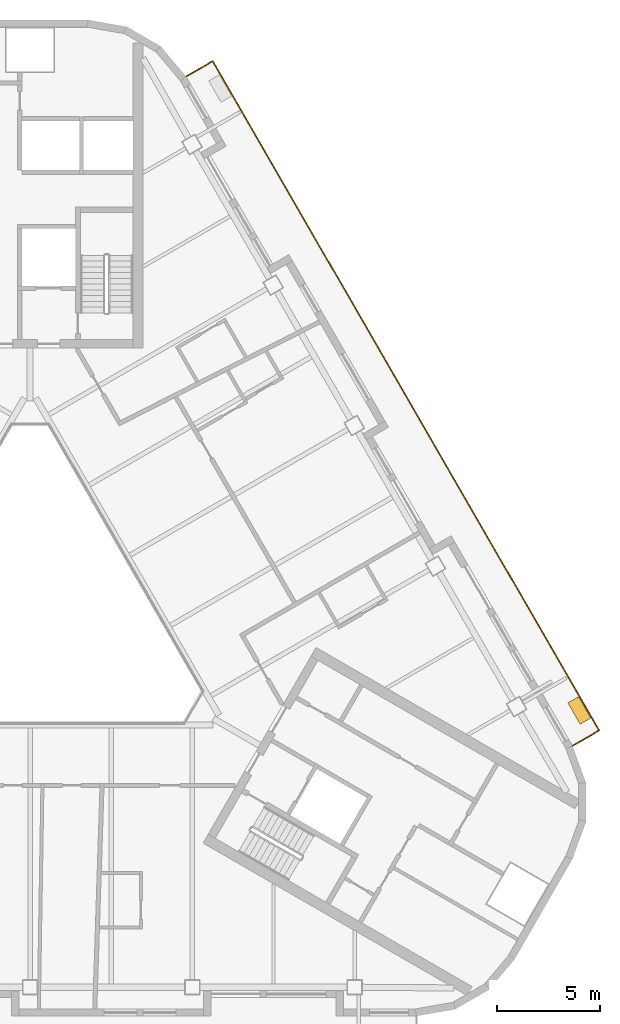
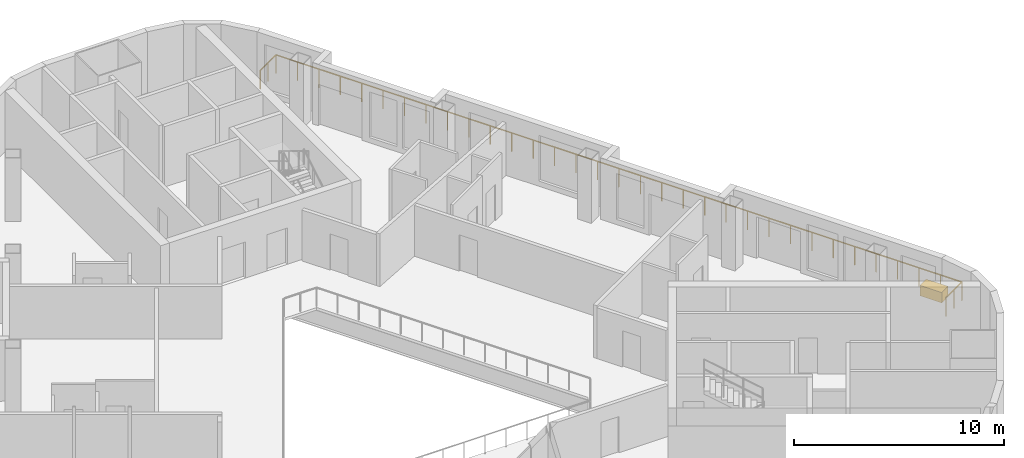
# One storey, part 13 of 14: 1 covering, 1 railing.
"""IFC4 building model written with IfcOpenShell, lengths in metres."""

from ifc_helpers import new_model, si_unit, direction, frame, origin, origin_2d, place, context, subcontext, project, spatial, rectangle, extrude, material, type_object, element, save


model = new_model("IFC4")

# Units and contexts
model_context = context("Model", 3, precision=1e-05, world=origin(), true_north=direction((0.0, 1.0)))
body_context = subcontext(model_context, "Body", "Model", "MODEL_VIEW")
ifc_project = project(units=[si_unit("LENGTHUNIT", "METRE"), si_unit("AREAUNIT", "SQUARE_METRE"), si_unit("VOLUMEUNIT", "CUBIC_METRE"), si_unit("PLANEANGLEUNIT", "RADIAN"), si_unit("MASSUNIT", "GRAM", prefix="KILO")], contexts=[model_context])

# Site, building, storey
site_placement = place(None, origin())
site = spatial("IfcSite", under=ifc_project, at=site_placement, CompositionType="ELEMENT")
building_placement = place(site_placement, origin())
building = spatial("IfcBuilding", under=site, at=building_placement, Name="Apuvela Tower Hotel", CompositionType="ELEMENT")
storey_placement = place(building_placement, frame((0.0, 0.0, 209.5)))
storey = spatial("IfcBuildingStorey", under=building, at=storey_placement, Name="L51", CompositionType="ELEMENT", Elevation=209.5)

# Railing
ifc_material_1 = material(Name="Stainless steel 316 rail with laminated glass infill", Category="steel")
railing_type = type_object("IfcRailingType", Name="ENV-GUARD-1100", PredefinedType="GUARDRAIL", material=ifc_material_1)
railing_placement = place(storey_placement, frame((26.407958984375, -6.47998046875, 0.0)))
element("IfcRailing", 1, at=railing_placement, inside=storey, type_object=railing_type, Name="Balcony guard NE L51", PredefinedType="GUARDRAIL", context=body_context, shape_type="SweptSolid", body=[
    extrude(rectangle(XDim=0.050048828125, YDim=0.050048828125, at=origin_2d()), frame((0.0, 0.0, 1.0751953125), z_axis=(0.866031096941, 0.499990139034, 0.0), x_axis=(-0.499990139034, 0.866031096941, 0.0)), (0.0, 0.0, 1.0), 1.5),
    extrude(rectangle(XDim=0.050048828125, YDim=0.050048828125, at=origin_2d()), frame((1.299072265625, 0.75, 1.0751953125), z_axis=(-0.500000437506, 0.86602515119, 0.0), x_axis=(-0.86602515119, -0.500000437506, 0.0)), (0.0, 0.0, 1.0), 37.6318359375),
    extrude(rectangle(XDim=0.050048828125, YDim=0.050048828125, at=origin_2d()), frame((-17.516845703125, 33.340087890625, 1.0751953125), z_axis=(-0.86599040064, -0.500060622324, 0.0), x_axis=(0.500060622324, -0.86599040064, 0.0)), (0.0, 0.0, 1.0), 1.499755859375),
    extrude(rectangle(XDim=0.0400390625, YDim=0.0400390625, at=origin_2d()), origin(), (0.0, 0.0, 1.0), 1.050048828125),
    extrude(rectangle(XDim=0.0400390625, YDim=0.0400390625, at=origin_2d()), frame((0.6494140625, 0.375, 0.0)), (0.0, 0.0, 1.0), 1.050048828125),
    extrude(rectangle(XDim=0.0400390625, YDim=0.0400390625, at=origin_2d()), frame((1.299072265625, 0.75, 0.0)), (0.0, 0.0, 1.0), 1.050048828125),
    extrude(rectangle(XDim=0.0400390625, YDim=0.0400390625, at=origin_2d()), frame((0.711181640625, 1.7685546875, 0.0)), (0.0, 0.0, 1.0), 1.050048828125),
    extrude(rectangle(XDim=0.0400390625, YDim=0.0400390625, at=origin_2d()), frame((0.123046875, 2.786865234375, 0.0)), (0.0, 0.0, 1.0), 1.050048828125),
    extrude(rectangle(XDim=0.0400390625, YDim=0.0400390625, at=origin_2d()), frame((-0.46484375, 3.805419921875, 0.0)), (0.0, 0.0, 1.0), 1.050048828125),
    extrude(rectangle(XDim=0.0400390625, YDim=0.0400390625, at=origin_2d()), frame((-1.052978515625, 4.82373046875, 0.0)), (0.0, 0.0, 1.0), 1.050048828125),
    extrude(rectangle(XDim=0.0400390625, YDim=0.0400390625, at=origin_2d()), frame((-1.640869140625, 5.84228515625, 0.0)), (0.0, 0.0, 1.0), 1.050048828125),
    extrude(rectangle(XDim=0.0400390625, YDim=0.0400390625, at=origin_2d()), frame((-2.22900390625, 6.860595703125, 0.0)), (0.0, 0.0, 1.0), 1.050048828125),
    extrude(rectangle(XDim=0.0400390625, YDim=0.0400390625, at=origin_2d()), frame((-2.81689453125, 7.879150390625, 0.0)), (0.0, 0.0, 1.0), 1.050048828125),
    extrude(rectangle(XDim=0.0400390625, YDim=0.0400390625, at=origin_2d()), frame((-3.40478515625, 8.8974609375, 0.0)), (0.0, 0.0, 1.0), 1.050048828125),
    extrude(rectangle(XDim=0.0400390625, YDim=0.0400390625, at=origin_2d()), frame((-3.992919921875, 9.916015625, 0.0)), (0.0, 0.0, 1.0), 1.050048828125),
    extrude(rectangle(XDim=0.0400390625, YDim=0.0400390625, at=origin_2d()), frame((-4.580810546875, 10.934326171875, 0.0)), (0.0, 0.0, 1.0), 1.050048828125),
    extrude(rectangle(XDim=0.0400390625, YDim=0.0400390625, at=origin_2d()), frame((-5.1689453125, 11.952880859375, 0.0)), (0.0, 0.0, 1.0), 1.050048828125),
    extrude(rectangle(XDim=0.0400390625, YDim=0.0400390625, at=origin_2d()), frame((-5.7568359375, 12.97119140625, 0.0)), (0.0, 0.0, 1.0), 1.050048828125),
    extrude(rectangle(XDim=0.0400390625, YDim=0.0400390625, at=origin_2d()), frame((-6.344970703125, 13.98974609375, 0.0)), (0.0, 0.0, 1.0), 1.050048828125),
    extrude(rectangle(XDim=0.0400390625, YDim=0.0400390625, at=origin_2d()), frame((-6.932861328125, 15.008056640625, 0.0)), (0.0, 0.0, 1.0), 1.050048828125),
    extrude(rectangle(XDim=0.0400390625, YDim=0.0400390625, at=origin_2d()), frame((-7.52099609375, 16.026611328125, 0.0)), (0.0, 0.0, 1.0), 1.050048828125),
    extrude(rectangle(XDim=0.0400390625, YDim=0.0400390625, at=origin_2d()), frame((-8.10888671875, 17.044921875, 0.0)), (0.0, 0.0, 1.0), 1.050048828125),
    extrude(rectangle(XDim=0.0400390625, YDim=0.0400390625, at=origin_2d()), frame((-8.69677734375, 18.0634765625, 0.0)), (0.0, 0.0, 1.0), 1.050048828125),
    extrude(rectangle(XDim=0.0400390625, YDim=0.0400390625, at=origin_2d()), frame((-9.284912109375, 19.08203125, 0.0)), (0.0, 0.0, 1.0), 1.050048828125),
    extrude(rectangle(XDim=0.0400390625, YDim=0.0400390625, at=origin_2d()), frame((-9.872802734375, 20.100341796875, 0.0)), (0.0, 0.0, 1.0), 1.050048828125),
    extrude(rectangle(XDim=0.0400390625, YDim=0.0400390625, at=origin_2d()), frame((-10.4609375, 21.118896484375, 0.0)), (0.0, 0.0, 1.0), 1.050048828125),
    extrude(rectangle(XDim=0.0400390625, YDim=0.0400390625, at=origin_2d()), frame((-11.048828125, 22.13720703125, 0.0)), (0.0, 0.0, 1.0), 1.050048828125),
    extrude(rectangle(XDim=0.0400390625, YDim=0.0400390625, at=origin_2d()), frame((-11.636962890625, 23.15576171875, 0.0)), (0.0, 0.0, 1.0), 1.050048828125),
    extrude(rectangle(XDim=0.0400390625, YDim=0.0400390625, at=origin_2d()), frame((-12.224853515625, 24.174072265625, 0.0)), (0.0, 0.0, 1.0), 1.050048828125),
    extrude(rectangle(XDim=0.0400390625, YDim=0.0400390625, at=origin_2d()), frame((-12.81298828125, 25.192626953125, 0.0)), (0.0, 0.0, 1.0), 1.050048828125),
    extrude(rectangle(XDim=0.0400390625, YDim=0.0400390625, at=origin_2d()), frame((-13.40087890625, 26.2109375, 0.0)), (0.0, 0.0, 1.0), 1.050048828125),
    extrude(rectangle(XDim=0.0400390625, YDim=0.0400390625, at=origin_2d()), frame((-13.98876953125, 27.2294921875, 0.0)), (0.0, 0.0, 1.0), 1.050048828125),
    extrude(rectangle(XDim=0.0400390625, YDim=0.0400390625, at=origin_2d()), frame((-14.576904296875, 28.247802734375, 0.0)), (0.0, 0.0, 1.0), 1.050048828125),
    extrude(rectangle(XDim=0.0400390625, YDim=0.0400390625, at=origin_2d()), frame((-15.164794921875, 29.266357421875, 0.0)), (0.0, 0.0, 1.0), 1.050048828125),
    extrude(rectangle(XDim=0.0400390625, YDim=0.0400390625, at=origin_2d()), frame((-15.7529296875, 30.28466796875, 0.0)), (0.0, 0.0, 1.0), 1.050048828125),
    extrude(rectangle(XDim=0.0400390625, YDim=0.0400390625, at=origin_2d()), frame((-16.3408203125, 31.30322265625, 0.0)), (0.0, 0.0, 1.0), 1.050048828125),
    extrude(rectangle(XDim=0.0400390625, YDim=0.0400390625, at=origin_2d()), frame((-16.928955078125, 32.321533203125, 0.0)), (0.0, 0.0, 1.0), 1.050048828125),
    extrude(rectangle(XDim=0.0400390625, YDim=0.0400390625, at=origin_2d()), frame((-17.516845703125, 33.340087890625, 0.0)), (0.0, 0.0, 1.0), 1.050048828125),
    extrude(rectangle(XDim=0.0400390625, YDim=0.0400390625, at=origin_2d()), frame((-18.166259765625, 32.965087890625, 0.0)), (0.0, 0.0, 1.0), 1.050048828125),
    extrude(rectangle(XDim=0.0400390625, YDim=0.0400390625, at=origin_2d()), frame((-18.815673828125, 32.590087890625, 0.0)), (0.0, 0.0, 1.0), 1.050048828125),
])

# Covering
ifc_material_2 = material(Name="Planting substrate and soil, planted")
covering_type = type_object("IfcCoveringType", Name="ENV-PLANTER-1200x600", PredefinedType="USERDEFINED", material=ifc_material_2)
covering_placement = place(storey_placement, frame((26.739013671875, -4.753173828125, 0.0), z_axis=(0.0, 0.0, 1.0), x_axis=(-0.5, 0.866025403784, 0.0)))
element("IfcCovering", 2, at=covering_placement, inside=storey, type_object=covering_type, Name="Planter NE2", ObjectType="PLANTER", PredefinedType="USERDEFINED", context=body_context, shape_type="SweptSolid", body=[
    extrude(rectangle(XDim=1.199951171875, YDim=0.60009765625, at=origin_2d()), origin(), (0.0, 0.0, 1.0), 0.60009765625),
])

save(model, "model.ifc")
